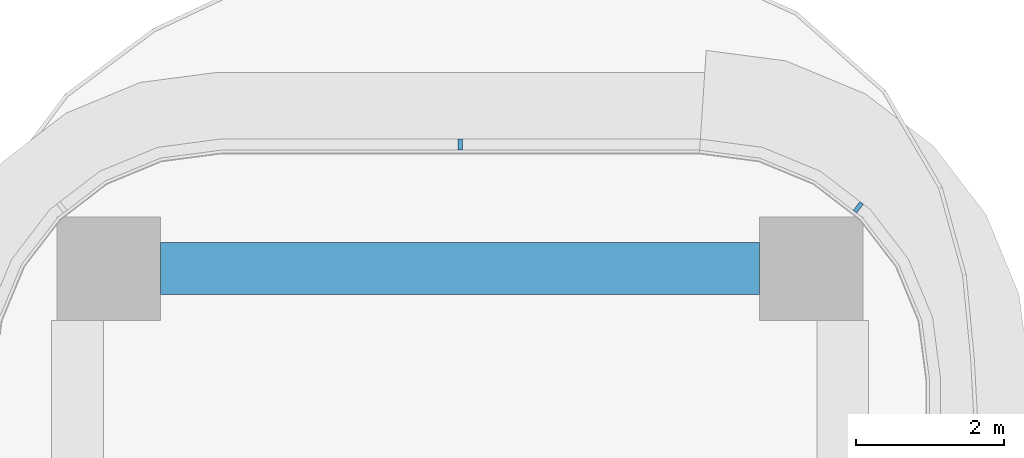
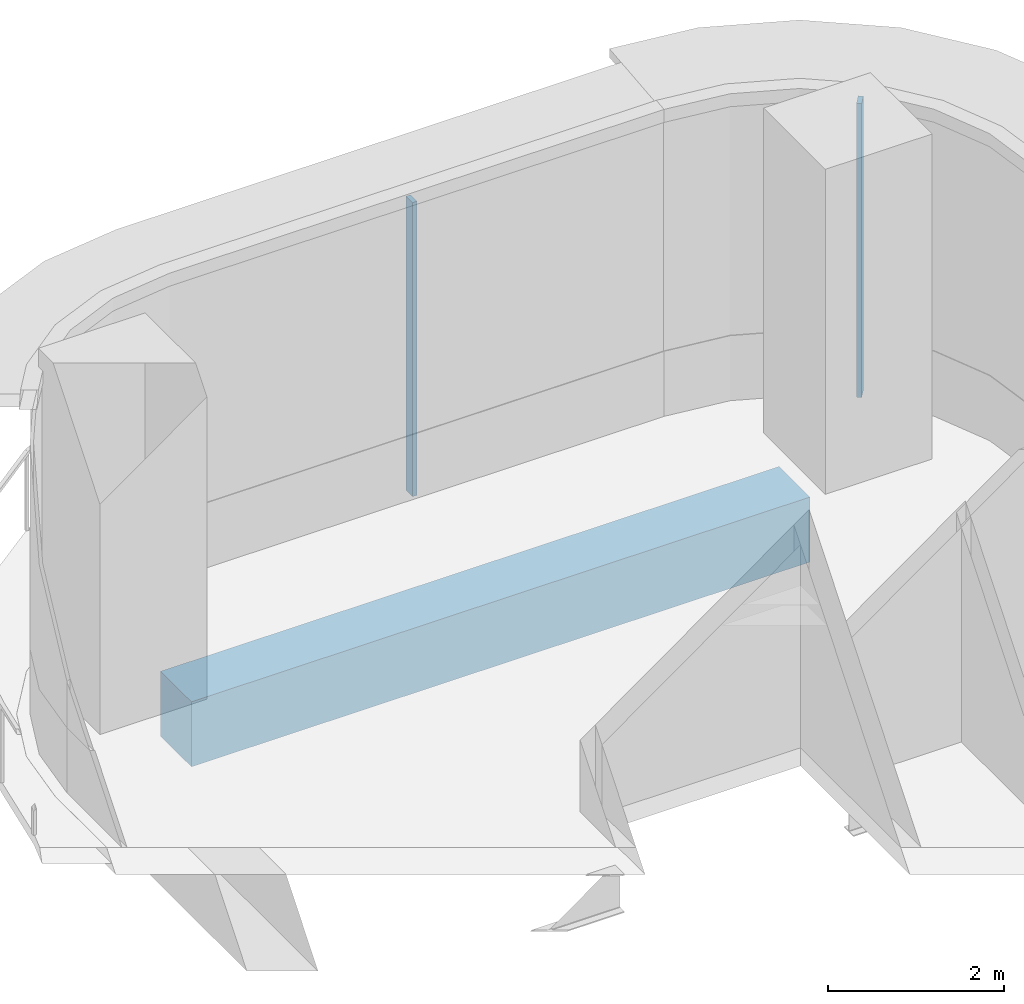
# One storey, part 12 of 22: 2 members, 1 beam, 2 elements without a shape of their own.
"""IFC4 building model written with IfcOpenShell, lengths in metres."""

from ifc_helpers import new_model, si_unit, direction, frame, origin, origin_2d, place, context, subcontext, project, spatial, rectangle, extrude, source, transform, mapped, material, layer, layer_set, material_profile, profile_set, type_object, element, aggregate, save


model = new_model("IFC4")

# Units and contexts
model_context = context("Model", 3, precision=1e-05, world=origin(), true_north=direction((0.0, 1.0)))
body_context = subcontext(model_context, "Body", "Model", "MODEL_VIEW")
ifc_project = project(units=[si_unit("LENGTHUNIT", "METRE"), si_unit("AREAUNIT", "SQUARE_METRE"), si_unit("VOLUMEUNIT", "CUBIC_METRE"), si_unit("PLANEANGLEUNIT", "RADIAN"), si_unit("MASSUNIT", "GRAM", prefix="KILO")], contexts=[model_context])

# Site, building, storey
site_placement = place(None, origin())
site = spatial("IfcSite", under=ifc_project, at=site_placement, CompositionType="ELEMENT")
building_placement = place(site_placement, origin())
building = spatial("IfcBuilding", under=site, at=building_placement, Name="Trellis Farm Tower", CompositionType="ELEMENT")
storey_placement = place(building_placement, frame((0.0, 0.0, 65.5)))
storey = spatial("IfcBuildingStorey", under=building, at=storey_placement, Name="L13", CompositionType="ELEMENT", Elevation=65.5)

# Beam
ifc_material_1 = material(Name="Concrete C60/75", Category="concrete")
ifc_material_profile_1 = material_profile(ifc_material_1, rectangle(XDim=0.699951171875, YDim=0.89990234375, at=origin_2d()), Name="RC spandrel beam 700x900 C60/75")
ifc_profile_set_1 = profile_set([ifc_material_profile_1], Name="Concrete C60/75")
beam_type = type_object("IfcBeamType", Name="RC spandrel beam 700x900 C60/75", PredefinedType="SPANDREL", material=ifc_profile_set_1)
shared_shape_1 = source(origin(), body_context, "Body", "SweptSolid", [
    extrude(rectangle(XDim=0.699951171875, YDim=0.89990234375, at=origin_2d()), origin(), (0.0, 0.0, 1.0), 8.10009765625),
])
beam_placement = place(storey_placement, frame((-4.050048828125, 24.25, -0.699951171875), z_axis=(1.0, 0.0, 0.0), x_axis=(0.0, 1.0, 0.0)))
element("IfcBeam", 1, at=beam_placement, inside=storey, type_object=beam_type, Name="Girder", PredefinedType="SPANDREL", context=body_context, shape_type="MappedRepresentation", body=[
    mapped(shared_shape_1, transform((0.0, 0.0, 0.0))),
])

# Curtain wall, member
ifc_material_2 = material(Name="Aluminium and glass curtain wall", Category="aluminium")
ifc_layer = layer(ifc_material_2, 0.18994140625)
ifc_layer_set = layer_set([ifc_layer], Name="RIBBON CURTAIN WALL CW1")
curtain_wall_type = type_object("IfcCurtainWallType", Name="RIBBON CURTAIN WALL CW1", PredefinedType="NOTDEFINED", material=ifc_layer_set)
placement = place(storey_placement, origin())
curtain_wall_1 = element("IfcCurtainWall", 2, at=placement, inside=storey, type_object=curtain_wall_type, Name="CW1 009", PredefinedType="NOTDEFINED")
ifc_material_3 = material(Name="Aluminium extrusion 6063-T6", Category="aluminium")
ifc_material_profile_2 = material_profile(ifc_material_3, rectangle(XDim=0.06005859375, YDim=0.14990234375, at=origin_2d()), Name="MULLION 60x150")
ifc_profile_set_2 = profile_set([ifc_material_profile_2], Name="Aluminium extrusion 6063-T6")
member_type = type_object("IfcMemberType", Name="CW1 MULLION 60x150", PredefinedType="MULLION", material=ifc_profile_set_2)
shared_shape_2 = source(origin(), body_context, "Body", "SweptSolid", [
    extrude(rectangle(XDim=0.06005859375, YDim=0.14990234375, at=origin_2d()), origin(), (0.0, 0.0, 1.0), 4.070068359375),
])
member_1_placement = place(storey_placement, frame((5.385498046875, 25.078369140625, 0.0), z_axis=(0.0, 0.0, 1.0), x_axis=(-0.793353340291, 0.608761429009, 0.0)))
member_1 = element("IfcMember", 3, at=member_1_placement, type_object=member_type, Name="MU1 009-03", PredefinedType="MULLION", context=body_context, shape_type="MappedRepresentation", body=[
    mapped(shared_shape_2, transform((0.0, 0.0, 0.0))),
])
aggregate(curtain_wall_1, [member_1])

curtain_wall_2 = element("IfcCurtainWall", 4, at=placement, inside=storey, type_object=curtain_wall_type, Name="CW1 010", PredefinedType="NOTDEFINED")
member_2_placement = place(storey_placement, frame((0.0, 25.925048828125, 0.0), z_axis=(0.0, 0.0, 1.0), x_axis=(-1.0, 0.0, 0.0)))
member_2 = element("IfcMember", 5, at=member_2_placement, type_object=member_type, Name="MU1 010-01", PredefinedType="MULLION", context=body_context, shape_type="MappedRepresentation", body=[
    mapped(shared_shape_2, transform((0.0, 0.0, 0.0))),
])
aggregate(curtain_wall_2, [member_2])

save(model, "model.ifc")
